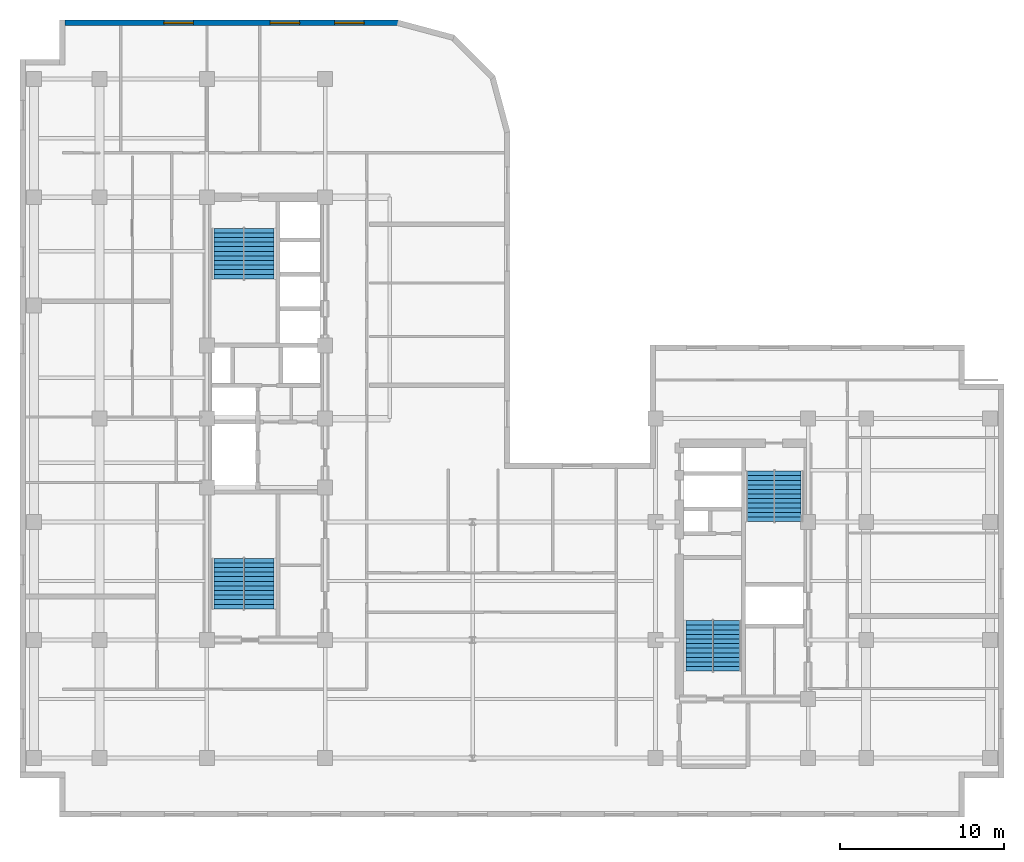
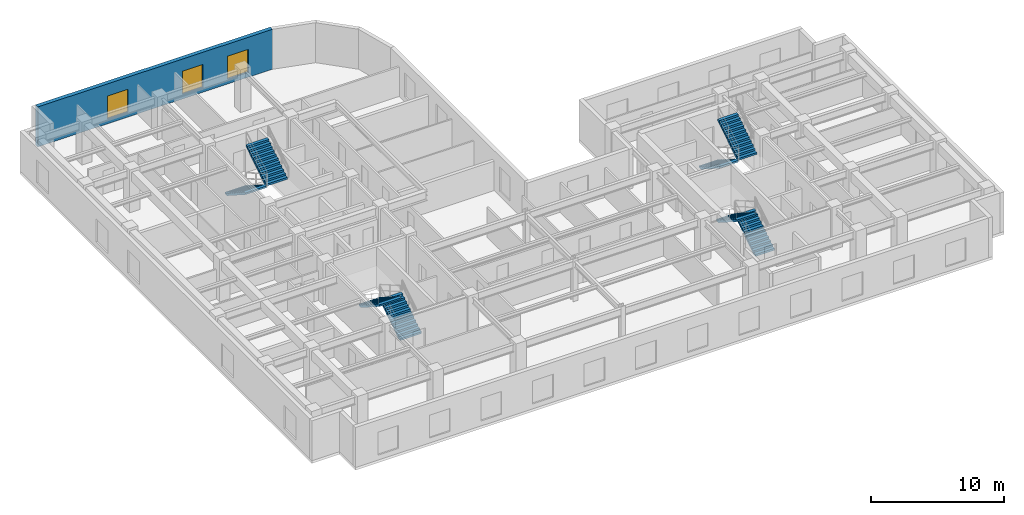
# One storey, part 8 of 11: 8 stair flights, 3 windows, 1 wall, 3 openings, 4 elements without a shape of their own.
"""IFC4 building model written with IfcOpenShell, lengths in metres."""

from ifc_helpers import new_model, entity, si_unit, converted_unit, direction, frame, origin_with_axes, origin_2d_with_axis, place, context, subcontext, project, spatial, polyline, rectangle, outline, extrude, material, layer, layer_set, type_object, element, fill, aggregate, save


model = new_model("IFC4")

# Units and contexts
model_context = context("Model", 3, precision=1e-05, world=origin_with_axes(), true_north=direction((0.0, 1.0)))
body_context = subcontext(model_context, "Body", "Model", "MODEL_VIEW")
ifc_project = project(units=[si_unit("LENGTHUNIT", "METRE"), si_unit("AREAUNIT", "SQUARE_METRE"), si_unit("VOLUMEUNIT", "CUBIC_METRE"), converted_unit("PLANEANGLEUNIT", "DEGREE", entity("IfcPlaneAngleMeasure", 0.017453292519943295), si_unit("PLANEANGLEUNIT", "RADIAN"), dimensions=[0, 0, 0, 0, 0, 0, 0]), si_unit("MASSUNIT", "GRAM", prefix="KILO"), si_unit("THERMODYNAMICTEMPERATUREUNIT", "KELVIN")], contexts=[model_context])

# Site, building, storey
site_placement = place(None, origin_with_axes())
site = spatial("IfcSite", under=ifc_project, at=site_placement, CompositionType="ELEMENT")
building_placement = place(site_placement, origin_with_axes())
building = spatial("IfcBuilding", under=site, at=building_placement, Name="Varnlund Millrace Tower", CompositionType="ELEMENT")
storey_placement = place(building_placement, frame((0.0, 0.0, 204.3), z_axis=(0.0, 0.0, 1.0), x_axis=(1.0, 0.0, 0.0)))
storey = spatial("IfcBuildingStorey", under=building, at=storey_placement, Name="L50", CompositionType="ELEMENT", Elevation=204.3)

# Wall, openings, windows
ifc_material_1 = material(Name="Precast concrete C50/60", Category="concrete")
ifc_layer = layer(ifc_material_1, 0.34, Name="Precast concrete C50/60")
ifc_layer_set = layer_set([ifc_layer], Name="Precast concrete C50/60")
wall_type = type_object("IfcWallType", Name="Type-ExtWall-Precast-Upper-340", PredefinedType="SOLIDWALL", material=ifc_layer_set)
wall_placement = place(storey_placement, frame((2.74, 48.43, 0.0), z_axis=(0.0, 0.0, 1.0), x_axis=(1.0, 0.0, 0.0)))
wall = element("IfcWall", 1, at=wall_placement, inside=storey, type_object=wall_type, Name="Type-ExtWall-Precast-Upper-340", PredefinedType="SOLIDWALL", context=body_context, shape_type="SweptSolid", body=[
    extrude(outline(polyline([(0.0, -0.17), (20.341, -0.17), (20.341, 0.17), (0.0, 0.17), (0.0, -0.17)])), origin_with_axes(), (0.0, 0.0, 1.0), 3.66),
])
opening_1_placement = place(wall_placement, frame((6.928, 0.0, 0.45), z_axis=(0.0, 0.0, 1.0), x_axis=(1.0, 0.0, 0.0)))
opening_1 = element("IfcOpeningElement", 2, at=opening_1_placement, cuts=wall, Name="Opening L50:WN-24", PredefinedType="OPENING", context=body_context, shape_type="SweptSolid", body=[
    extrude(rectangle(XDim=1.8, YDim=0.36, at=origin_2d_with_axis()), origin_with_axes(), (0.0, 0.0, 1.0), 2.1),
])
opening_2_placement = place(wall_placement, frame((13.413, 0.0, 0.45), z_axis=(0.0, 0.0, 1.0), x_axis=(1.0, 0.0, 0.0)))
opening_2 = element("IfcOpeningElement", 3, at=opening_2_placement, cuts=wall, Name="Opening L50:WN-25", PredefinedType="OPENING", context=body_context, shape_type="SweptSolid", body=[
    extrude(rectangle(XDim=1.8, YDim=0.36, at=origin_2d_with_axis()), origin_with_axes(), (0.0, 0.0, 1.0), 2.1),
])
opening_3_placement = place(wall_placement, frame((17.348, 0.0, 0.45), z_axis=(0.0, 0.0, 1.0), x_axis=(1.0, 0.0, 0.0)))
opening_3 = element("IfcOpeningElement", 4, at=opening_3_placement, cuts=wall, Name="Opening L50:WN-26", PredefinedType="OPENING", context=body_context, shape_type="SweptSolid", body=[
    extrude(rectangle(XDim=1.8, YDim=0.36, at=origin_2d_with_axis()), origin_with_axes(), (0.0, 0.0, 1.0), 2.1),
])
ifc_material_2 = material(Name="Argon low-e triple glazing in thermally broken bronze frame", Category="glass")
window_type = type_object("IfcWindowType", Name="Type-Window-Punched-1800X2100", PartitioningType="SINGLE_PANEL", PredefinedType="WINDOW", material=ifc_material_2)
window_1_placement = place(wall_placement, frame((6.928, 0.0, 0.45), z_axis=(0.0, 0.0, 1.0), x_axis=(1.0, 0.0, 0.0)))
window_1 = element("IfcWindow", 5, at=window_1_placement, inside=storey, type_object=window_type, Name="Type-Window-Punched-1800X2100", OverallHeight=2.1, OverallWidth=1.8, PredefinedType="WINDOW", context=body_context, shape_type="SweptSolid", body=[
    extrude(rectangle(XDim=1.8, YDim=0.09, at=origin_2d_with_axis()), origin_with_axes(), (0.0, 0.0, 1.0), 2.1),
])
fill(opening_1, window_1)
window_2_placement = place(wall_placement, frame((13.413, 0.0, 0.45), z_axis=(0.0, 0.0, 1.0), x_axis=(1.0, 0.0, 0.0)))
window_2 = element("IfcWindow", 6, at=window_2_placement, inside=storey, type_object=window_type, Name="Type-Window-Punched-1800X2100", OverallHeight=2.1, OverallWidth=1.8, PredefinedType="WINDOW", context=body_context, shape_type="SweptSolid", body=[
    extrude(rectangle(XDim=1.8, YDim=0.09, at=origin_2d_with_axis()), origin_with_axes(), (0.0, 0.0, 1.0), 2.1),
])
fill(opening_2, window_2)
window_3_placement = place(wall_placement, frame((17.348, 0.0, 0.45), z_axis=(0.0, 0.0, 1.0), x_axis=(1.0, 0.0, 0.0)))
window_3 = element("IfcWindow", 7, at=window_3_placement, inside=storey, type_object=window_type, Name="Type-Window-Punched-1800X2100", OverallHeight=2.1, OverallWidth=1.8, PredefinedType="WINDOW", context=body_context, shape_type="SweptSolid", body=[
    extrude(rectangle(XDim=1.8, YDim=0.09, at=origin_2d_with_axis()), origin_with_axes(), (0.0, 0.0, 1.0), 2.1),
])
fill(opening_3, window_3)

# Stair, stair flights
ifc_material_3 = material(Name="Concrete C50/60", Category="concrete")
stair_type_1 = type_object("IfcStairType", Name="Type-Stair-Dogleg-165-390", PredefinedType="HALF_TURN_STAIR", material=ifc_material_3)
stair_1_placement = place(storey_placement, origin_with_axes())
stair_1 = element("IfcStair", 8, at=stair_1_placement, inside=storey, type_object=stair_type_1, Name="Type-Stair-Dogleg-165-390", PredefinedType="HALF_TURN_STAIR")
stair_flight_type_1 = type_object("IfcStairFlightType", Name="Type-Dogleg-Run-165-390", PredefinedType="STRAIGHT", material=ifc_material_1)
stair_flight_1_placement = place(storey_placement, frame((42.225, 8.9, 0.0), z_axis=(1.0, 0.0, 0.0), x_axis=(0.0, 1.0, 0.0)))
stair_flight_1 = element("IfcStairFlight", 9, at=stair_flight_1_placement, type_object=stair_flight_type_1, Name="ST-B1 flight 1", NumberOfRisers=11, NumberOfTreads=11, PredefinedType="STRAIGHT", RiserHeight=0.177273, TreadLength=0.28, context=body_context, shape_type="SweptSolid", body=[
    extrude(outline(polyline([(0.0, 0.0), (0.0, 0.177273), (0.28, 0.177273), (0.28, 0.354545), (0.56, 0.354545), (0.56, 0.531818), (0.84, 0.531818), (0.84, 0.709091), (1.12, 0.709091), (1.12, 0.886364), (1.4, 0.886364), (1.4, 1.063636), (1.68, 1.063636), (1.68, 1.240909), (1.96, 1.240909), (1.96, 1.418182), (2.24, 1.418182), (2.24, 1.595454), (2.52, 1.595454), (2.52, 1.772727), (2.8, 1.772727), (2.8, 1.95), (3.08, 1.95), (3.08, 1.8), (0.28, 0.0), (0.0, 0.0)])), origin_with_axes(), (0.0, 0.0, 1.0), 1.65),
])
stair_flight_2_placement = place(storey_placement, frame((42.275, 11.98, 1.95), z_axis=(-1.0, 0.0, 0.0), x_axis=(0.0, -1.0, 0.0)))
stair_flight_2 = element("IfcStairFlight", 10, at=stair_flight_2_placement, type_object=stair_flight_type_1, Name="ST-B1 flight 2", NumberOfRisers=11, NumberOfTreads=11, PredefinedType="STRAIGHT", RiserHeight=0.177273, TreadLength=0.28, context=body_context, shape_type="SweptSolid", body=[
    extrude(outline(polyline([(0.0, 0.0), (0.0, 0.177273), (0.28, 0.177273), (0.28, 0.354545), (0.56, 0.354545), (0.56, 0.531818), (0.84, 0.531818), (0.84, 0.709091), (1.12, 0.709091), (1.12, 0.886364), (1.4, 0.886364), (1.4, 1.063636), (1.68, 1.063636), (1.68, 1.240909), (1.96, 1.240909), (1.96, 1.418182), (2.24, 1.418182), (2.24, 1.595454), (2.52, 1.595454), (2.52, 1.772727), (2.8, 1.772727), (2.8, 1.95), (3.08, 1.95), (3.08, 1.8), (0.28, 0.0), (0.0, 0.0)])), origin_with_axes(), (0.0, 0.0, 1.0), 1.65),
])
aggregate(stair_1, [stair_flight_1, stair_flight_2])

stair_2_placement = place(storey_placement, origin_with_axes())
stair_2 = element("IfcStair", 11, at=stair_2_placement, inside=storey, type_object=stair_type_1, Name="Type-Stair-Dogleg-165-390", PredefinedType="HALF_TURN_STAIR")
stair_flight_3_placement = place(storey_placement, frame((46.025, 21.1, 0.0), z_axis=(-1.0, 0.0, 0.0), x_axis=(0.0, -1.0, 0.0)))
stair_flight_3 = element("IfcStairFlight", 12, at=stair_flight_3_placement, type_object=stair_flight_type_1, Name="ST-B2 flight 1", NumberOfRisers=11, NumberOfTreads=11, PredefinedType="STRAIGHT", RiserHeight=0.177273, TreadLength=0.28, context=body_context, shape_type="SweptSolid", body=[
    extrude(outline(polyline([(0.0, 0.0), (0.0, 0.177273), (0.28, 0.177273), (0.28, 0.354545), (0.56, 0.354545), (0.56, 0.531818), (0.84, 0.531818), (0.84, 0.709091), (1.12, 0.709091), (1.12, 0.886364), (1.4, 0.886364), (1.4, 1.063636), (1.68, 1.063636), (1.68, 1.240909), (1.96, 1.240909), (1.96, 1.418182), (2.24, 1.418182), (2.24, 1.595454), (2.52, 1.595454), (2.52, 1.772727), (2.8, 1.772727), (2.8, 1.95), (3.08, 1.95), (3.08, 1.8), (0.28, 0.0), (0.0, 0.0)])), origin_with_axes(), (0.0, 0.0, 1.0), 1.65),
])
stair_flight_4_placement = place(storey_placement, frame((45.975, 18.02, 1.95), z_axis=(1.0, 0.0, 0.0), x_axis=(0.0, 1.0, 0.0)))
stair_flight_4 = element("IfcStairFlight", 13, at=stair_flight_4_placement, type_object=stair_flight_type_1, Name="ST-B2 flight 2", NumberOfRisers=11, NumberOfTreads=11, PredefinedType="STRAIGHT", RiserHeight=0.177273, TreadLength=0.28, context=body_context, shape_type="SweptSolid", body=[
    extrude(outline(polyline([(0.0, 0.0), (0.0, 0.177273), (0.28, 0.177273), (0.28, 0.354545), (0.56, 0.354545), (0.56, 0.531818), (0.84, 0.531818), (0.84, 0.709091), (1.12, 0.709091), (1.12, 0.886364), (1.4, 0.886364), (1.4, 1.063636), (1.68, 1.063636), (1.68, 1.240909), (1.96, 1.240909), (1.96, 1.418182), (2.24, 1.418182), (2.24, 1.595454), (2.52, 1.595454), (2.52, 1.772727), (2.8, 1.772727), (2.8, 1.95), (3.08, 1.95), (3.08, 1.8), (0.28, 0.0), (0.0, 0.0)])), origin_with_axes(), (0.0, 0.0, 1.0), 1.65),
])
aggregate(stair_2, [stair_flight_3, stair_flight_4])

stair_type_2 = type_object("IfcStairType", Name="Type-Stair-Dogleg-185-390", PredefinedType="HALF_TURN_STAIR", material=ifc_material_3)
stair_3_placement = place(storey_placement, origin_with_axes())
stair_3 = element("IfcStair", 14, at=stair_3_placement, inside=storey, type_object=stair_type_2, Name="Type-Stair-Dogleg-185-390", PredefinedType="HALF_TURN_STAIR")
stair_flight_type_2 = type_object("IfcStairFlightType", Name="Type-Dogleg-Run-185-390", PredefinedType="STRAIGHT", material=ifc_material_1)
stair_flight_5_placement = place(storey_placement, frame((13.625, 12.7, 0.0), z_axis=(1.0, 0.0, 0.0), x_axis=(0.0, 1.0, 0.0)))
stair_flight_5 = element("IfcStairFlight", 15, at=stair_flight_5_placement, type_object=stair_flight_type_2, Name="ST-A1 flight 1", NumberOfRisers=11, NumberOfTreads=11, PredefinedType="STRAIGHT", RiserHeight=0.177273, TreadLength=0.28, context=body_context, shape_type="SweptSolid", body=[
    extrude(outline(polyline([(0.0, 0.0), (0.0, 0.177273), (0.28, 0.177273), (0.28, 0.354545), (0.56, 0.354545), (0.56, 0.531818), (0.84, 0.531818), (0.84, 0.709091), (1.12, 0.709091), (1.12, 0.886364), (1.4, 0.886364), (1.4, 1.063636), (1.68, 1.063636), (1.68, 1.240909), (1.96, 1.240909), (1.96, 1.418182), (2.24, 1.418182), (2.24, 1.595454), (2.52, 1.595454), (2.52, 1.772727), (2.8, 1.772727), (2.8, 1.95), (3.08, 1.95), (3.08, 1.8), (0.28, 0.0), (0.0, 0.0)])), origin_with_axes(), (0.0, 0.0, 1.0), 1.85),
])
stair_flight_6_placement = place(storey_placement, frame((13.675, 15.78, 1.95), z_axis=(-1.0, 0.0, 0.0), x_axis=(0.0, -1.0, 0.0)))
stair_flight_6 = element("IfcStairFlight", 16, at=stair_flight_6_placement, type_object=stair_flight_type_2, Name="ST-A1 flight 2", NumberOfRisers=11, NumberOfTreads=11, PredefinedType="STRAIGHT", RiserHeight=0.177273, TreadLength=0.28, context=body_context, shape_type="SweptSolid", body=[
    extrude(outline(polyline([(0.0, 0.0), (0.0, 0.177273), (0.28, 0.177273), (0.28, 0.354545), (0.56, 0.354545), (0.56, 0.531818), (0.84, 0.531818), (0.84, 0.709091), (1.12, 0.709091), (1.12, 0.886364), (1.4, 0.886364), (1.4, 1.063636), (1.68, 1.063636), (1.68, 1.240909), (1.96, 1.240909), (1.96, 1.418182), (2.24, 1.418182), (2.24, 1.595454), (2.52, 1.595454), (2.52, 1.772727), (2.8, 1.772727), (2.8, 1.95), (3.08, 1.95), (3.08, 1.8), (0.28, 0.0), (0.0, 0.0)])), origin_with_axes(), (0.0, 0.0, 1.0), 1.85),
])
aggregate(stair_3, [stair_flight_5, stair_flight_6])

stair_4_placement = place(storey_placement, origin_with_axes())
stair_4 = element("IfcStair", 17, at=stair_4_placement, inside=storey, type_object=stair_type_2, Name="Type-Stair-Dogleg-185-390", PredefinedType="HALF_TURN_STAIR")
stair_flight_7_placement = place(storey_placement, frame((13.675, 35.9, 0.0), z_axis=(-1.0, 0.0, 0.0), x_axis=(0.0, -1.0, 0.0)))
stair_flight_7 = element("IfcStairFlight", 18, at=stair_flight_7_placement, type_object=stair_flight_type_2, Name="ST-A2 flight 1", NumberOfRisers=11, NumberOfTreads=11, PredefinedType="STRAIGHT", RiserHeight=0.177273, TreadLength=0.28, context=body_context, shape_type="SweptSolid", body=[
    extrude(outline(polyline([(0.0, 0.0), (0.0, 0.177273), (0.28, 0.177273), (0.28, 0.354545), (0.56, 0.354545), (0.56, 0.531818), (0.84, 0.531818), (0.84, 0.709091), (1.12, 0.709091), (1.12, 0.886364), (1.4, 0.886364), (1.4, 1.063636), (1.68, 1.063636), (1.68, 1.240909), (1.96, 1.240909), (1.96, 1.418182), (2.24, 1.418182), (2.24, 1.595454), (2.52, 1.595454), (2.52, 1.772727), (2.8, 1.772727), (2.8, 1.95), (3.08, 1.95), (3.08, 1.8), (0.28, 0.0), (0.0, 0.0)])), origin_with_axes(), (0.0, 0.0, 1.0), 1.85),
])
stair_flight_8_placement = place(storey_placement, frame((13.625, 32.82, 1.95), z_axis=(1.0, 0.0, 0.0), x_axis=(0.0, 1.0, 0.0)))
stair_flight_8 = element("IfcStairFlight", 19, at=stair_flight_8_placement, type_object=stair_flight_type_2, Name="ST-A2 flight 2", NumberOfRisers=11, NumberOfTreads=11, PredefinedType="STRAIGHT", RiserHeight=0.177273, TreadLength=0.28, context=body_context, shape_type="SweptSolid", body=[
    extrude(outline(polyline([(0.0, 0.0), (0.0, 0.177273), (0.28, 0.177273), (0.28, 0.354545), (0.56, 0.354545), (0.56, 0.531818), (0.84, 0.531818), (0.84, 0.709091), (1.12, 0.709091), (1.12, 0.886364), (1.4, 0.886364), (1.4, 1.063636), (1.68, 1.063636), (1.68, 1.240909), (1.96, 1.240909), (1.96, 1.418182), (2.24, 1.418182), (2.24, 1.595454), (2.52, 1.595454), (2.52, 1.772727), (2.8, 1.772727), (2.8, 1.95), (3.08, 1.95), (3.08, 1.8), (0.28, 0.0), (0.0, 0.0)])), origin_with_axes(), (0.0, 0.0, 1.0), 1.85),
])
aggregate(stair_4, [stair_flight_7, stair_flight_8])

save(model, "model.ifc")
